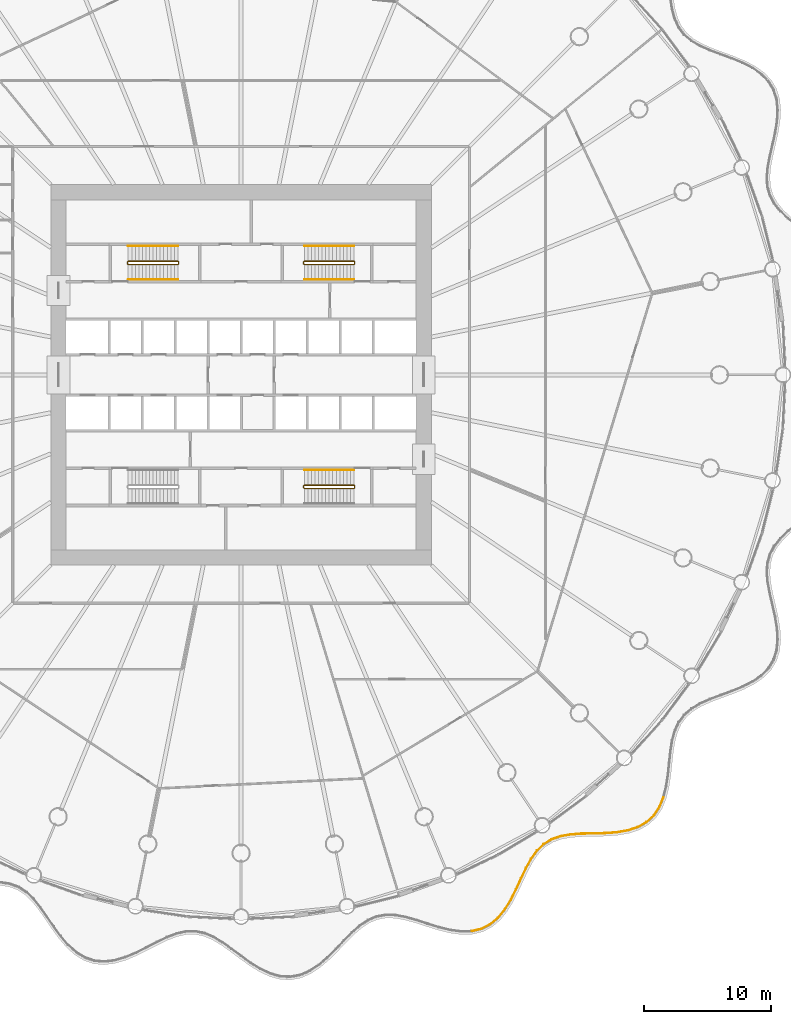
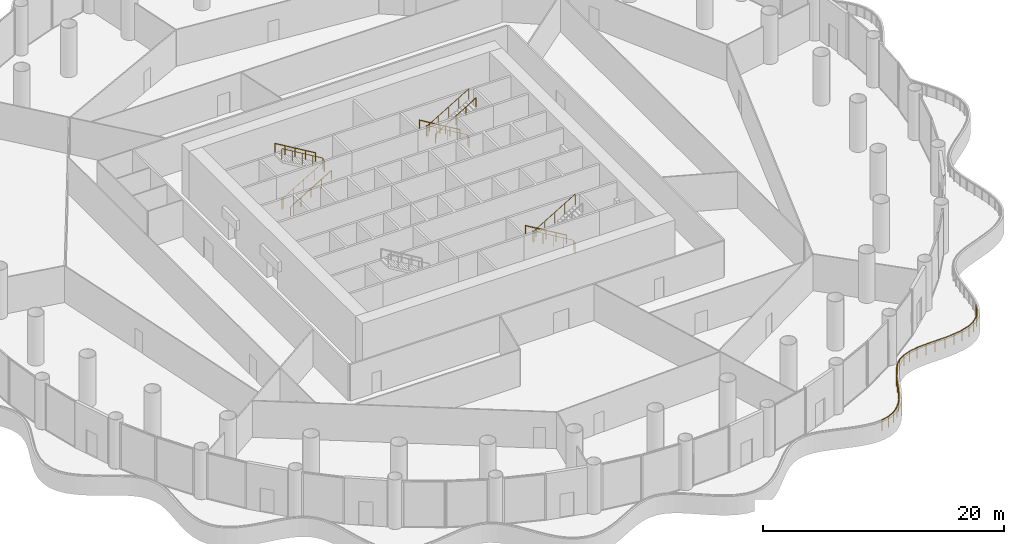
# One storey, part 32 of 35: 9 railings.
"""IFC4 building model written with IfcOpenShell, lengths in metres."""

from ifc_helpers import new_model, si_unit, direction, frame, origin, origin_2d, place, context, subcontext, project, spatial, circle, extrude, material, type_object, element, save


model = new_model("IFC4")

# Units and contexts
model_context = context("Model", 3, precision=1e-05, world=origin(), true_north=direction((0.0, 1.0)))
body_context = subcontext(model_context, "Body", "Model", "MODEL_VIEW")
ifc_project = project(units=[si_unit("LENGTHUNIT", "METRE"), si_unit("AREAUNIT", "SQUARE_METRE"), si_unit("VOLUMEUNIT", "CUBIC_METRE"), si_unit("PLANEANGLEUNIT", "RADIAN"), si_unit("MASSUNIT", "GRAM", prefix="KILO")], contexts=[model_context])

# Site, building, storey
site_placement = place(None, origin())
site = spatial("IfcSite", under=ifc_project, at=site_placement, CompositionType="ELEMENT")
building_placement = place(site_placement, origin())
building = spatial("IfcBuilding", under=site, at=building_placement, Name="Corvane Civic Tower", CompositionType="ELEMENT")
storey_placement = place(building_placement, frame((0.0, 0.0, 22.0)))
storey = spatial("IfcBuildingStorey", under=building, at=storey_placement, Name="L04", CompositionType="ELEMENT", Elevation=22.0)

# Railings
ifc_material_1 = material(Name="Steel ASTM A572 Gr 50", Category="steel")
railing_type_1 = type_object("IfcRailingType", Name="PODIUM-RL-GUARD-1100", PredefinedType="GUARDRAIL", material=ifc_material_1)
railing_1_placement = place(storey_placement, frame((18.191650390625, -43.853515625, 0.0)))
element("IfcRailing", 1, at=railing_1_placement, inside=storey, type_object=railing_type_1, Name="L04 ribbon guard 10", PredefinedType="GUARDRAIL", context=body_context, shape_type="SweptSolid", body=[
    extrude(circle(Radius=0.02392578125, at=origin_2d()), frame((0.0, 0.0, 1.076171875), z_axis=(0.972682567407, 0.232139232064, 0.0), x_axis=(-0.232139232064, 0.972682567407, 0.0)), (0.0, 0.0, 1.0), 0.763427734375),
    extrude(circle(Radius=0.02392578125, at=origin_2d()), frame((0.74267578125, 0.17724609375, 1.076171875), z_axis=(0.89178146689, 0.452466369261, 0.0), x_axis=(-0.452466369261, 0.89178146689, 0.0)), (0.0, 0.0, 1.0), 0.77978515625),
    extrude(circle(Radius=0.02392578125, at=origin_2d()), frame((1.43798828125, 0.530029296875, 1.076171875), z_axis=(0.766875815103, 0.641795515886, 0.0), x_axis=(-0.641795515886, 0.766875815103, 0.0)), (0.0, 0.0, 1.0), 0.80419921875),
    extrude(circle(Radius=0.02392578125, at=origin_2d()), frame((2.0546875, 1.046142578125, 1.076171875), z_axis=(0.634690449107, 0.772766480777, 0.0), x_axis=(-0.772766480777, 0.634690449107, 0.0)), (0.0, 0.0, 1.0), 0.8505859375),
    extrude(circle(Radius=0.02392578125, at=origin_2d()), frame((2.594482421875, 1.703369140625, 1.076171875), z_axis=(0.525006823148, 0.85109801765, 0.0), x_axis=(-0.85109801765, 0.525006823148, 0.0)), (0.0, 0.0, 1.0), 0.8984375),
    extrude(circle(Radius=0.02392578125, at=origin_2d()), frame((3.066162109375, 2.468017578125, 1.076171875), z_axis=(0.451831007825, 0.892103548008, 0.0), x_axis=(-0.892103548008, 0.451831007825, 0.0)), (0.0, 0.0, 1.0), 0.929443359375),
    extrude(circle(Radius=0.02392578125, at=origin_2d()), frame((3.486083984375, 3.297119140625, 1.076171875), z_axis=(0.418809018902, 0.908074339295, 0.0), x_axis=(-0.908074339295, 0.418809018902, 0.0)), (0.0, 0.0, 1.0), 0.93212890625),
    extrude(circle(Radius=0.02392578125, at=origin_2d()), frame((3.87646484375, 4.1435546875, 1.076171875), z_axis=(0.428202473026, 0.903682821622, 0.0), x_axis=(-0.903682821622, 0.428202473026, 0.0)), (0.0, 0.0, 1.0), 0.90380859375),
    extrude(circle(Radius=0.02392578125, at=origin_2d()), frame((4.263427734375, 4.960205078125, 1.076171875), z_axis=(0.482690160832, 0.875791190088, 0.0), x_axis=(-0.875791190088, 0.482690160832, 0.0)), (0.0, 0.0, 1.0), 0.850341796875),
    extrude(circle(Radius=0.02392578125, at=origin_2d()), frame((4.673828125, 5.704833984375, 1.076171875), z_axis=(0.583699953364, 0.811969435658, 0.0), x_axis=(-0.811969435658, 0.583699953364, 0.0)), (0.0, 0.0, 1.0), 0.787109375),
    extrude(circle(Radius=0.02392578125, at=origin_2d()), frame((5.13330078125, 6.343994140625, 1.076171875), z_axis=(0.719589904835, 0.694399286333, 0.0), x_axis=(-0.694399286333, 0.719589904835, 0.0)), (0.0, 0.0, 1.0), 0.736572265625),
    extrude(circle(Radius=0.02392578125, at=origin_2d()), frame((5.663330078125, 6.85546875, 1.076171875), z_axis=(0.853038984398, 0.521847191329, 0.0), x_axis=(-0.521847191329, 0.853038984398, 0.0)), (0.0, 0.0, 1.0), 0.720947265625),
    extrude(circle(Radius=0.02392578125, at=origin_2d()), frame((6.2783203125, 7.231689453125, 1.076171875), z_axis=(0.943531916748, 0.331281635589, 0.0), x_axis=(-0.331281635589, 0.943531916748, 0.0)), (0.0, 0.0, 1.0), 0.747314453125),
    extrude(circle(Radius=0.02392578125, at=origin_2d()), frame((6.9833984375, 7.479248046875, 1.076171875), z_axis=(0.985151477235, 0.171687410437, 0.0), x_axis=(-0.171687410437, 0.985151477235, 0.0)), (0.0, 0.0, 1.0), 0.803466796875),
    extrude(circle(Radius=0.02392578125, at=origin_2d()), frame((7.77490234375, 7.6171875, 1.076171875), z_axis=(0.997631662657, 0.068782742495, 0.0), x_axis=(-0.068782742495, 0.997631662657, 0.0)), (0.0, 0.0, 1.0), 0.865966796875),
    extrude(circle(Radius=0.02392578125, at=origin_2d()), frame((8.638916015625, 7.6767578125, 1.076171875), z_axis=(0.999771670744, 0.021368349896, 0.0), x_axis=(-0.021368349896, 0.999771670744, 0.0)), (0.0, 0.0, 1.0), 0.9140625),
    extrude(circle(Radius=0.02392578125, at=origin_2d()), frame((9.552734375, 7.6962890625, 1.076171875), z_axis=(0.999711020229, 0.024039052238, 0.0), x_axis=(-0.024039052238, 0.999711020229, 0.0)), (0.0, 0.0, 1.0), 0.934326171875),
    extrude(circle(Radius=0.02392578125, at=origin_2d()), frame((10.48681640625, 7.71875, 1.076171875), z_axis=(0.997355726649, 0.072674304406, 0.0), x_axis=(-0.072674304406, 0.997355726649, 0.0)), (0.0, 0.0, 1.0), 0.923828125),
    extrude(circle(Radius=0.02392578125, at=origin_2d()), frame((11.408203125, 7.785888671875, 1.076171875), z_axis=(0.985609152256, 0.169040228907, 0.0), x_axis=(-0.169040228907, 0.985609152256, 0.0)), (0.0, 0.0, 1.0), 0.88671875),
    extrude(circle(Radius=0.02392578125, at=origin_2d()), frame((12.2822265625, 7.935791015625, 1.076171875), z_axis=(0.949698912177, 0.313164455535, 0.0), x_axis=(-0.313164455535, 0.949698912177, 0.0)), (0.0, 0.0, 1.0), 0.83740234375),
    extrude(circle(Radius=0.02392578125, at=origin_2d()), frame((13.077392578125, 8.197998046875, 1.076171875), z_axis=(0.868979387797, 0.494848283401, 0.0), x_axis=(-0.494848283401, 0.868979387797, 0.0)), (0.0, 0.0, 1.0), 0.794921875),
    extrude(circle(Radius=0.02392578125, at=origin_2d()), frame((13.76806640625, 8.59130859375, 1.076171875), z_axis=(0.731440906947, 0.681904831809, 0.0), x_axis=(-0.681904831809, 0.731440906947, 0.0)), (0.0, 0.0, 1.0), 0.77880859375),
    extrude(circle(Radius=0.02392578125, at=origin_2d()), frame((14.337646484375, 9.122314453125, 1.076171875), z_axis=(0.555407340841, 0.8315784303, 0.0), x_axis=(-0.8315784303, 0.555407340841, 0.0)), (0.0, 0.0, 1.0), 0.79638671875),
    extrude(circle(Radius=0.02392578125, at=origin_2d()), frame((14.780029296875, 9.78466796875, 1.076171875), z_axis=(0.381954861987, 0.924180979789, 0.0), x_axis=(-0.924180979789, 0.381954861987, 0.0)), (0.0, 0.0, 1.0), 0.81494140625),
    extrude(circle(Radius=0.02099609375, at=origin_2d()), origin(), (0.0, 0.0, 1.0), 1.052001953125),
    extrude(circle(Radius=0.02099609375, at=origin_2d()), frame((0.74267578125, 0.17724609375, 0.0)), (0.0, 0.0, 1.0), 1.052001953125),
    extrude(circle(Radius=0.02099609375, at=origin_2d()), frame((1.43798828125, 0.530029296875, 0.0)), (0.0, 0.0, 1.0), 1.052001953125),
    extrude(circle(Radius=0.02099609375, at=origin_2d()), frame((2.0546875, 1.046142578125, 0.0)), (0.0, 0.0, 1.0), 1.052001953125),
    extrude(circle(Radius=0.02099609375, at=origin_2d()), frame((2.594482421875, 1.703369140625, 0.0)), (0.0, 0.0, 1.0), 1.052001953125),
    extrude(circle(Radius=0.02099609375, at=origin_2d()), frame((3.066162109375, 2.468017578125, 0.0)), (0.0, 0.0, 1.0), 1.052001953125),
    extrude(circle(Radius=0.02099609375, at=origin_2d()), frame((3.486083984375, 3.297119140625, 0.0)), (0.0, 0.0, 1.0), 1.052001953125),
    extrude(circle(Radius=0.02099609375, at=origin_2d()), frame((3.87646484375, 4.1435546875, 0.0)), (0.0, 0.0, 1.0), 1.052001953125),
    extrude(circle(Radius=0.02099609375, at=origin_2d()), frame((4.263427734375, 4.960205078125, 0.0)), (0.0, 0.0, 1.0), 1.052001953125),
    extrude(circle(Radius=0.02099609375, at=origin_2d()), frame((4.673828125, 5.704833984375, 0.0)), (0.0, 0.0, 1.0), 1.052001953125),
    extrude(circle(Radius=0.02099609375, at=origin_2d()), frame((5.13330078125, 6.343994140625, 0.0)), (0.0, 0.0, 1.0), 1.052001953125),
    extrude(circle(Radius=0.02099609375, at=origin_2d()), frame((5.663330078125, 6.85546875, 0.0)), (0.0, 0.0, 1.0), 1.052001953125),
    extrude(circle(Radius=0.02099609375, at=origin_2d()), frame((6.2783203125, 7.231689453125, 0.0)), (0.0, 0.0, 1.0), 1.052001953125),
    extrude(circle(Radius=0.02099609375, at=origin_2d()), frame((6.9833984375, 7.479248046875, 0.0)), (0.0, 0.0, 1.0), 1.052001953125),
    extrude(circle(Radius=0.02099609375, at=origin_2d()), frame((7.77490234375, 7.6171875, 0.0)), (0.0, 0.0, 1.0), 1.052001953125),
    extrude(circle(Radius=0.02099609375, at=origin_2d()), frame((8.638916015625, 7.6767578125, 0.0)), (0.0, 0.0, 1.0), 1.052001953125),
    extrude(circle(Radius=0.02099609375, at=origin_2d()), frame((9.552734375, 7.6962890625, 0.0)), (0.0, 0.0, 1.0), 1.052001953125),
    extrude(circle(Radius=0.02099609375, at=origin_2d()), frame((10.48681640625, 7.71875, 0.0)), (0.0, 0.0, 1.0), 1.052001953125),
    extrude(circle(Radius=0.02099609375, at=origin_2d()), frame((11.408203125, 7.785888671875, 0.0)), (0.0, 0.0, 1.0), 1.052001953125),
    extrude(circle(Radius=0.02099609375, at=origin_2d()), frame((12.2822265625, 7.935791015625, 0.0)), (0.0, 0.0, 1.0), 1.052001953125),
    extrude(circle(Radius=0.02099609375, at=origin_2d()), frame((13.077392578125, 8.197998046875, 0.0)), (0.0, 0.0, 1.0), 1.052001953125),
    extrude(circle(Radius=0.02099609375, at=origin_2d()), frame((13.76806640625, 8.59130859375, 0.0)), (0.0, 0.0, 1.0), 1.052001953125),
    extrude(circle(Radius=0.02099609375, at=origin_2d()), frame((14.337646484375, 9.122314453125, 0.0)), (0.0, 0.0, 1.0), 1.052001953125),
    extrude(circle(Radius=0.02099609375, at=origin_2d()), frame((14.780029296875, 9.78466796875, 0.0)), (0.0, 0.0, 1.0), 1.052001953125),
    extrude(circle(Radius=0.02099609375, at=origin_2d()), frame((15.09130859375, 10.537841796875, 0.0)), (0.0, 0.0, 1.0), 1.052001953125),
])
ifc_material_2 = material(Name="Steel ASTM A572 Gr 50", Category="steel")
railing_type_2 = type_object("IfcRailingType", Name="ST-GUARD-1100", PredefinedType="GUARDRAIL", material=ifc_material_2)
railing_2_placement = place(storey_placement, frame((8.949951171875, 8.75, 0.0)))
element("IfcRailing", 2, at=railing_2_placement, inside=storey, type_object=railing_type_2, Name="L04 ST1 stair guard 1", PredefinedType="GUARDRAIL", context=body_context, shape_type="SweptSolid", body=[
    extrude(circle(Radius=0.02392578125, at=origin_2d()), frame((0.0, 0.0, 1.076171875), z_axis=(0.0, 1.0, 0.0), x_axis=(-1.0, 0.0, 0.0)), (0.0, 0.0, 1.0), 0.14990234375),
    extrude(circle(Radius=0.02392578125, at=origin_2d()), frame((0.0, 0.14990234375, 1.076171875), z_axis=(-0.27628659633, 0.27628659633, 0.920506074601), x_axis=(-0.707106781187, -0.707106781187, 0.0)), (0.0, 0.0, 1.0), 0.18115234375),
    extrude(circle(Radius=0.02392578125, at=origin_2d()), frame((-0.050048828125, 0.199951171875, 1.24267578125), z_axis=(-0.859296244711, 0.0, 0.511478214419), x_axis=(0.0, -1.0, 0.0)), (0.0, 0.0, 1.0), 4.561767578125),
    extrude(circle(Radius=0.02392578125, at=origin_2d()), frame((-3.969970703125, 0.199951171875, 3.576171875), z_axis=(-0.707106781187, -0.707106781187, 0.0), x_axis=(0.707106781187, -0.707106781187, 0.0)), (0.0, 0.0, 1.0), 0.07080078125),
    extrude(circle(Radius=0.02392578125, at=origin_2d()), frame((-4.02001953125, 0.14990234375, 3.576171875), z_axis=(0.0, -1.0, 0.0), x_axis=(1.0, 0.0, 0.0)), (0.0, 0.0, 1.0), 0.14990234375),
    extrude(circle(Radius=0.02392578125, at=origin_2d()), frame((-4.02001953125, 0.0, 3.576171875), z_axis=(0.27628659633, -0.27628659633, 0.920506074601), x_axis=(0.707106781187, 0.707106781187, 0.0)), (0.0, 0.0, 1.0), 0.18115234375),
    extrude(circle(Radius=0.02392578125, at=origin_2d()), frame((-3.969970703125, -0.050048828125, 3.74267578125), z_axis=(0.859296244711, 0.0, 0.511478214419), x_axis=(0.0, 1.0, 0.0)), (0.0, 0.0, 1.0), 4.561767578125),
    extrude(circle(Radius=0.02099609375, at=origin_2d()), origin(), (0.0, 0.0, 1.0), 1.052001953125),
    extrude(circle(Radius=0.02099609375, at=origin_2d()), frame((0.0, 0.14990234375, 0.0)), (0.0, 0.0, 1.0), 1.052001953125),
    extrude(circle(Radius=0.02099609375, at=origin_2d()), frame((-0.050048828125, 0.199951171875, 0.166748046875)), (0.0, 0.0, 1.0), 1.052001953125),
    extrude(circle(Radius=0.02099609375, at=origin_2d()), frame((-1.030029296875, 0.199951171875, 0.75)), (0.0, 0.0, 1.0), 1.052001953125),
    extrude(circle(Radius=0.02099609375, at=origin_2d()), frame((-2.010009765625, 0.199951171875, 1.33349609375)), (0.0, 0.0, 1.0), 1.052001953125),
    extrude(circle(Radius=0.02099609375, at=origin_2d()), frame((-2.989990234375, 0.199951171875, 1.916748046875)), (0.0, 0.0, 1.0), 1.052001953125),
    extrude(circle(Radius=0.02099609375, at=origin_2d()), frame((-3.969970703125, 0.199951171875, 2.5)), (0.0, 0.0, 1.0), 1.052001953125),
    extrude(circle(Radius=0.02099609375, at=origin_2d()), frame((-4.02001953125, 0.14990234375, 2.5)), (0.0, 0.0, 1.0), 1.052001953125),
    extrude(circle(Radius=0.02099609375, at=origin_2d()), frame((-4.02001953125, 0.0, 2.5)), (0.0, 0.0, 1.0), 1.052001953125),
    extrude(circle(Radius=0.02099609375, at=origin_2d()), frame((-3.969970703125, -0.050048828125, 2.666748046875)), (0.0, 0.0, 1.0), 1.052001953125),
    extrude(circle(Radius=0.02099609375, at=origin_2d()), frame((-2.989990234375, -0.050048828125, 3.25)), (0.0, 0.0, 1.0), 1.052001953125),
    extrude(circle(Radius=0.02099609375, at=origin_2d()), frame((-2.010009765625, -0.050048828125, 3.83349609375)), (0.0, 0.0, 1.0), 1.052001953125),
    extrude(circle(Radius=0.02099609375, at=origin_2d()), frame((-1.030029296875, -0.050048828125, 4.416748046875)), (0.0, 0.0, 1.0), 1.052001953125),
    extrude(circle(Radius=0.02099609375, at=origin_2d()), frame((-0.050048828125, -0.050048828125, 5.0)), (0.0, 0.0, 1.0), 1.052001953125),
])
railing_3_placement = place(storey_placement, frame((8.949951171875, -8.89990234375, 0.0)))
element("IfcRailing", 3, at=railing_3_placement, inside=storey, type_object=railing_type_2, Name="L04 ST2 stair guard 1", PredefinedType="GUARDRAIL", context=body_context, shape_type="SweptSolid", body=[
    extrude(circle(Radius=0.02392578125, at=origin_2d()), frame((0.0, 0.0, 1.076171875), z_axis=(0.0, 1.0, 0.0), x_axis=(-1.0, 0.0, 0.0)), (0.0, 0.0, 1.0), 0.14990234375),
    extrude(circle(Radius=0.02392578125, at=origin_2d()), frame((0.0, 0.14990234375, 1.076171875), z_axis=(-0.27628659633, 0.27628659633, 0.920506074601), x_axis=(-0.707106781187, -0.707106781187, 0.0)), (0.0, 0.0, 1.0), 0.18115234375),
    extrude(circle(Radius=0.02392578125, at=origin_2d()), frame((-0.050048828125, 0.199951171875, 1.24267578125), z_axis=(-0.859296244711, 0.0, 0.511478214419), x_axis=(0.0, -1.0, 0.0)), (0.0, 0.0, 1.0), 4.561767578125),
    extrude(circle(Radius=0.02392578125, at=origin_2d()), frame((-3.969970703125, 0.199951171875, 3.576171875), z_axis=(-0.707106781187, -0.707106781187, 0.0), x_axis=(0.707106781187, -0.707106781187, 0.0)), (0.0, 0.0, 1.0), 0.07080078125),
    extrude(circle(Radius=0.02392578125, at=origin_2d()), frame((-4.02001953125, 0.14990234375, 3.576171875), z_axis=(0.0, -1.0, 0.0), x_axis=(1.0, 0.0, 0.0)), (0.0, 0.0, 1.0), 0.14990234375),
    extrude(circle(Radius=0.02392578125, at=origin_2d()), frame((-4.02001953125, 0.0, 3.576171875), z_axis=(0.27628659633, -0.27628659633, 0.920506074601), x_axis=(0.707106781187, 0.707106781187, 0.0)), (0.0, 0.0, 1.0), 0.18115234375),
    extrude(circle(Radius=0.02392578125, at=origin_2d()), frame((-3.969970703125, -0.050048828125, 3.74267578125), z_axis=(0.859296244711, 0.0, 0.511478214419), x_axis=(0.0, 1.0, 0.0)), (0.0, 0.0, 1.0), 4.561767578125),
    extrude(circle(Radius=0.02099609375, at=origin_2d()), origin(), (0.0, 0.0, 1.0), 1.052001953125),
    extrude(circle(Radius=0.02099609375, at=origin_2d()), frame((0.0, 0.14990234375, 0.0)), (0.0, 0.0, 1.0), 1.052001953125),
    extrude(circle(Radius=0.02099609375, at=origin_2d()), frame((-0.050048828125, 0.199951171875, 0.166748046875)), (0.0, 0.0, 1.0), 1.052001953125),
    extrude(circle(Radius=0.02099609375, at=origin_2d()), frame((-1.030029296875, 0.199951171875, 0.75)), (0.0, 0.0, 1.0), 1.052001953125),
    extrude(circle(Radius=0.02099609375, at=origin_2d()), frame((-2.010009765625, 0.199951171875, 1.33349609375)), (0.0, 0.0, 1.0), 1.052001953125),
    extrude(circle(Radius=0.02099609375, at=origin_2d()), frame((-2.989990234375, 0.199951171875, 1.916748046875)), (0.0, 0.0, 1.0), 1.052001953125),
    extrude(circle(Radius=0.02099609375, at=origin_2d()), frame((-3.969970703125, 0.199951171875, 2.5)), (0.0, 0.0, 1.0), 1.052001953125),
    extrude(circle(Radius=0.02099609375, at=origin_2d()), frame((-4.02001953125, 0.14990234375, 2.5)), (0.0, 0.0, 1.0), 1.052001953125),
    extrude(circle(Radius=0.02099609375, at=origin_2d()), frame((-4.02001953125, 0.0, 2.5)), (0.0, 0.0, 1.0), 1.052001953125),
    extrude(circle(Radius=0.02099609375, at=origin_2d()), frame((-3.969970703125, -0.050048828125, 2.666748046875)), (0.0, 0.0, 1.0), 1.052001953125),
    extrude(circle(Radius=0.02099609375, at=origin_2d()), frame((-2.989990234375, -0.050048828125, 3.25)), (0.0, 0.0, 1.0), 1.052001953125),
    extrude(circle(Radius=0.02099609375, at=origin_2d()), frame((-2.010009765625, -0.050048828125, 3.83349609375)), (0.0, 0.0, 1.0), 1.052001953125),
    extrude(circle(Radius=0.02099609375, at=origin_2d()), frame((-1.030029296875, -0.050048828125, 4.416748046875)), (0.0, 0.0, 1.0), 1.052001953125),
    extrude(circle(Radius=0.02099609375, at=origin_2d()), frame((-0.050048828125, -0.050048828125, 5.0)), (0.0, 0.0, 1.0), 1.052001953125),
])
railing_4_placement = place(storey_placement, frame((-8.949951171875, 8.89990234375, 0.0)))
element("IfcRailing", 4, at=railing_4_placement, inside=storey, type_object=railing_type_2, Name="L04 ST4 stair guard 1", PredefinedType="GUARDRAIL", context=body_context, shape_type="SweptSolid", body=[
    extrude(circle(Radius=0.02392578125, at=origin_2d()), frame((0.0, 0.0, 1.076171875), z_axis=(0.0, -1.0, 0.0), x_axis=(1.0, 0.0, 0.0)), (0.0, 0.0, 1.0), 0.14990234375),
    extrude(circle(Radius=0.02392578125, at=origin_2d()), frame((0.0, -0.14990234375, 1.076171875), z_axis=(0.27628659633, -0.27628659633, 0.920506074601), x_axis=(0.707106781187, 0.707106781187, 0.0)), (0.0, 0.0, 1.0), 0.18115234375),
    extrude(circle(Radius=0.02392578125, at=origin_2d()), frame((0.050048828125, -0.199951171875, 1.24267578125), z_axis=(0.859296244711, 0.0, 0.511478214419), x_axis=(0.0, 1.0, 0.0)), (0.0, 0.0, 1.0), 4.561767578125),
    extrude(circle(Radius=0.02392578125, at=origin_2d()), frame((3.969970703125, -0.199951171875, 3.576171875), z_axis=(0.707106781187, 0.707106781187, 0.0), x_axis=(-0.707106781187, 0.707106781187, 0.0)), (0.0, 0.0, 1.0), 0.07080078125),
    extrude(circle(Radius=0.02392578125, at=origin_2d()), frame((4.02001953125, -0.14990234375, 3.576171875), z_axis=(0.0, 1.0, 0.0), x_axis=(-1.0, 0.0, 0.0)), (0.0, 0.0, 1.0), 0.14990234375),
    extrude(circle(Radius=0.02392578125, at=origin_2d()), frame((4.02001953125, 0.0, 3.576171875), z_axis=(-0.27628659633, 0.27628659633, 0.920506074601), x_axis=(-0.707106781187, -0.707106781187, 0.0)), (0.0, 0.0, 1.0), 0.18115234375),
    extrude(circle(Radius=0.02392578125, at=origin_2d()), frame((3.969970703125, 0.050048828125, 3.74267578125), z_axis=(-0.859296244711, 0.0, 0.511478214419), x_axis=(0.0, -1.0, 0.0)), (0.0, 0.0, 1.0), 4.561767578125),
    extrude(circle(Radius=0.02099609375, at=origin_2d()), origin(), (0.0, 0.0, 1.0), 1.052001953125),
    extrude(circle(Radius=0.02099609375, at=origin_2d()), frame((0.0, -0.14990234375, 0.0)), (0.0, 0.0, 1.0), 1.052001953125),
    extrude(circle(Radius=0.02099609375, at=origin_2d()), frame((0.050048828125, -0.199951171875, 0.166748046875)), (0.0, 0.0, 1.0), 1.052001953125),
    extrude(circle(Radius=0.02099609375, at=origin_2d()), frame((1.030029296875, -0.199951171875, 0.75)), (0.0, 0.0, 1.0), 1.052001953125),
    extrude(circle(Radius=0.02099609375, at=origin_2d()), frame((2.010009765625, -0.199951171875, 1.33349609375)), (0.0, 0.0, 1.0), 1.052001953125),
    extrude(circle(Radius=0.02099609375, at=origin_2d()), frame((2.989990234375, -0.199951171875, 1.916748046875)), (0.0, 0.0, 1.0), 1.052001953125),
    extrude(circle(Radius=0.02099609375, at=origin_2d()), frame((3.969970703125, -0.199951171875, 2.5)), (0.0, 0.0, 1.0), 1.052001953125),
    extrude(circle(Radius=0.02099609375, at=origin_2d()), frame((4.02001953125, -0.14990234375, 2.5)), (0.0, 0.0, 1.0), 1.052001953125),
    extrude(circle(Radius=0.02099609375, at=origin_2d()), frame((4.02001953125, 0.0, 2.5)), (0.0, 0.0, 1.0), 1.052001953125),
    extrude(circle(Radius=0.02099609375, at=origin_2d()), frame((3.969970703125, 0.050048828125, 2.666748046875)), (0.0, 0.0, 1.0), 1.052001953125),
    extrude(circle(Radius=0.02099609375, at=origin_2d()), frame((2.989990234375, 0.050048828125, 3.25)), (0.0, 0.0, 1.0), 1.052001953125),
    extrude(circle(Radius=0.02099609375, at=origin_2d()), frame((2.010009765625, 0.050048828125, 3.83349609375)), (0.0, 0.0, 1.0), 1.052001953125),
    extrude(circle(Radius=0.02099609375, at=origin_2d()), frame((1.030029296875, 0.050048828125, 4.416748046875)), (0.0, 0.0, 1.0), 1.052001953125),
    extrude(circle(Radius=0.02099609375, at=origin_2d()), frame((0.050048828125, 0.050048828125, 5.0)), (0.0, 0.0, 1.0), 1.052001953125),
])
ifc_material_3 = material(Name="Steel ASTM A572 Gr 50", Category="steel")
railing_type_3 = type_object("IfcRailingType", Name="ST-HANDRAIL-900", PredefinedType="HANDRAIL", material=ifc_material_3)
railing_5_placement = place(storey_placement, frame((8.89990234375, 10.14990234375, 0.166748046875)))
element("IfcRailing", 5, at=railing_5_placement, inside=storey, type_object=railing_type_3, Name="L04 ST1 stair handrail 1", PredefinedType="HANDRAIL", context=body_context, shape_type="SweptSolid", body=[
    extrude(circle(Radius=0.02392578125, at=origin_2d()), frame((0.0, 0.0, 0.8759765625), z_axis=(-0.859296244711, 0.0, 0.511478214419), x_axis=(0.0, -1.0, 0.0)), (0.0, 0.0, 1.0), 4.561767578125),
    extrude(circle(Radius=0.02099609375, at=origin_2d()), origin(), (0.0, 0.0, 1.0), 0.851806640625),
    extrude(circle(Radius=0.02099609375, at=origin_2d()), frame((-0.97998046875, 0.0, 0.583251953125)), (0.0, 0.0, 1.0), 0.851806640625),
    extrude(circle(Radius=0.02099609375, at=origin_2d()), frame((-1.9599609375, 0.0, 1.16650390625)), (0.0, 0.0, 1.0), 0.851806640625),
    extrude(circle(Radius=0.02099609375, at=origin_2d()), frame((-2.93994140625, 0.0, 1.75)), (0.0, 0.0, 1.0), 0.851806640625),
    extrude(circle(Radius=0.02099609375, at=origin_2d()), frame((-3.919921875, 0.0, 2.333251953125)), (0.0, 0.0, 1.0), 0.851806640625),
])
railing_6_placement = place(storey_placement, frame((4.97998046875, 7.5, 2.666748046875)))
element("IfcRailing", 6, at=railing_6_placement, inside=storey, type_object=railing_type_3, Name="L04 ST1 stair handrail 2", PredefinedType="HANDRAIL", context=body_context, shape_type="SweptSolid", body=[
    extrude(circle(Radius=0.02392578125, at=origin_2d()), frame((0.0, 0.0, 0.8759765625), z_axis=(0.859296244711, 0.0, 0.511478214419), x_axis=(0.0, 1.0, 0.0)), (0.0, 0.0, 1.0), 4.561767578125),
    extrude(circle(Radius=0.02099609375, at=origin_2d()), origin(), (0.0, 0.0, 1.0), 0.851806640625),
    extrude(circle(Radius=0.02099609375, at=origin_2d()), frame((0.97998046875, 0.0, 0.583251953125)), (0.0, 0.0, 1.0), 0.851806640625),
    extrude(circle(Radius=0.02099609375, at=origin_2d()), frame((1.9599609375, 0.0, 1.16650390625)), (0.0, 0.0, 1.0), 0.851806640625),
    extrude(circle(Radius=0.02099609375, at=origin_2d()), frame((2.93994140625, 0.0, 1.75)), (0.0, 0.0, 1.0), 0.851806640625),
    extrude(circle(Radius=0.02099609375, at=origin_2d()), frame((3.919921875, 0.0, 2.333251953125)), (0.0, 0.0, 1.0), 0.851806640625),
])
railing_7_placement = place(storey_placement, frame((8.89990234375, -7.5, 0.166748046875)))
element("IfcRailing", 7, at=railing_7_placement, inside=storey, type_object=railing_type_3, Name="L04 ST2 stair handrail 1", PredefinedType="HANDRAIL", context=body_context, shape_type="SweptSolid", body=[
    extrude(circle(Radius=0.02392578125, at=origin_2d()), frame((0.0, 0.0, 0.8759765625), z_axis=(-0.859296244711, 0.0, 0.511478214419), x_axis=(0.0, -1.0, 0.0)), (0.0, 0.0, 1.0), 4.561767578125),
    extrude(circle(Radius=0.02099609375, at=origin_2d()), origin(), (0.0, 0.0, 1.0), 0.851806640625),
    extrude(circle(Radius=0.02099609375, at=origin_2d()), frame((-0.97998046875, 0.0, 0.583251953125)), (0.0, 0.0, 1.0), 0.851806640625),
    extrude(circle(Radius=0.02099609375, at=origin_2d()), frame((-1.9599609375, 0.0, 1.16650390625)), (0.0, 0.0, 1.0), 0.851806640625),
    extrude(circle(Radius=0.02099609375, at=origin_2d()), frame((-2.93994140625, 0.0, 1.75)), (0.0, 0.0, 1.0), 0.851806640625),
    extrude(circle(Radius=0.02099609375, at=origin_2d()), frame((-3.919921875, 0.0, 2.333251953125)), (0.0, 0.0, 1.0), 0.851806640625),
])
railing_8_placement = place(storey_placement, frame((-8.89990234375, 7.5, 0.166748046875)))
element("IfcRailing", 8, at=railing_8_placement, inside=storey, type_object=railing_type_3, Name="L04 ST4 stair handrail 1", PredefinedType="HANDRAIL", context=body_context, shape_type="SweptSolid", body=[
    extrude(circle(Radius=0.02392578125, at=origin_2d()), frame((0.0, 0.0, 0.8759765625), z_axis=(0.859296244711, 0.0, 0.511478214419), x_axis=(0.0, 1.0, 0.0)), (0.0, 0.0, 1.0), 4.561767578125),
    extrude(circle(Radius=0.02099609375, at=origin_2d()), origin(), (0.0, 0.0, 1.0), 0.851806640625),
    extrude(circle(Radius=0.02099609375, at=origin_2d()), frame((0.97998046875, 0.0, 0.583251953125)), (0.0, 0.0, 1.0), 0.851806640625),
    extrude(circle(Radius=0.02099609375, at=origin_2d()), frame((1.9599609375, 0.0, 1.16650390625)), (0.0, 0.0, 1.0), 0.851806640625),
    extrude(circle(Radius=0.02099609375, at=origin_2d()), frame((2.93994140625, 0.0, 1.75)), (0.0, 0.0, 1.0), 0.851806640625),
    extrude(circle(Radius=0.02099609375, at=origin_2d()), frame((3.919921875, 0.0, 2.333251953125)), (0.0, 0.0, 1.0), 0.851806640625),
])
railing_9_placement = place(storey_placement, frame((-4.97998046875, 10.14990234375, 2.666748046875)))
element("IfcRailing", 9, at=railing_9_placement, inside=storey, type_object=railing_type_3, Name="L04 ST4 stair handrail 2", PredefinedType="HANDRAIL", context=body_context, shape_type="SweptSolid", body=[
    extrude(circle(Radius=0.02392578125, at=origin_2d()), frame((0.0, 0.0, 0.8759765625), z_axis=(-0.859296244711, 0.0, 0.511478214419), x_axis=(0.0, -1.0, 0.0)), (0.0, 0.0, 1.0), 4.561767578125),
    extrude(circle(Radius=0.02099609375, at=origin_2d()), origin(), (0.0, 0.0, 1.0), 0.851806640625),
    extrude(circle(Radius=0.02099609375, at=origin_2d()), frame((-0.97998046875, 0.0, 0.583251953125)), (0.0, 0.0, 1.0), 0.851806640625),
    extrude(circle(Radius=0.02099609375, at=origin_2d()), frame((-1.9599609375, 0.0, 1.16650390625)), (0.0, 0.0, 1.0), 0.851806640625),
    extrude(circle(Radius=0.02099609375, at=origin_2d()), frame((-2.93994140625, 0.0, 1.75)), (0.0, 0.0, 1.0), 0.851806640625),
    extrude(circle(Radius=0.02099609375, at=origin_2d()), frame((-3.919921875, 0.0, 2.333251953125)), (0.0, 0.0, 1.0), 0.851806640625),
])

save(model, "model.ifc")
